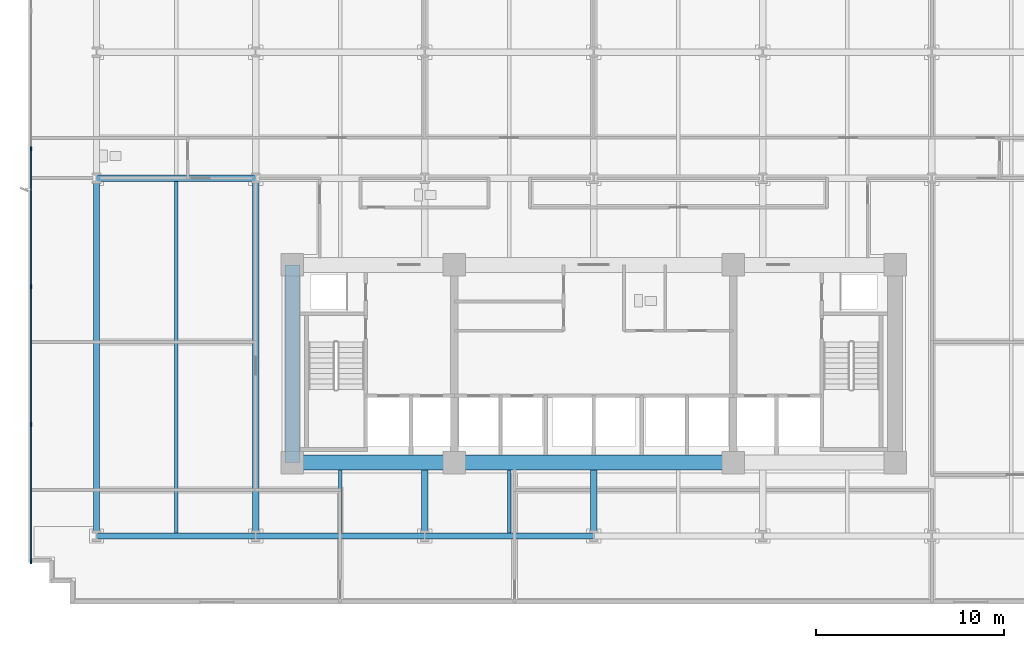
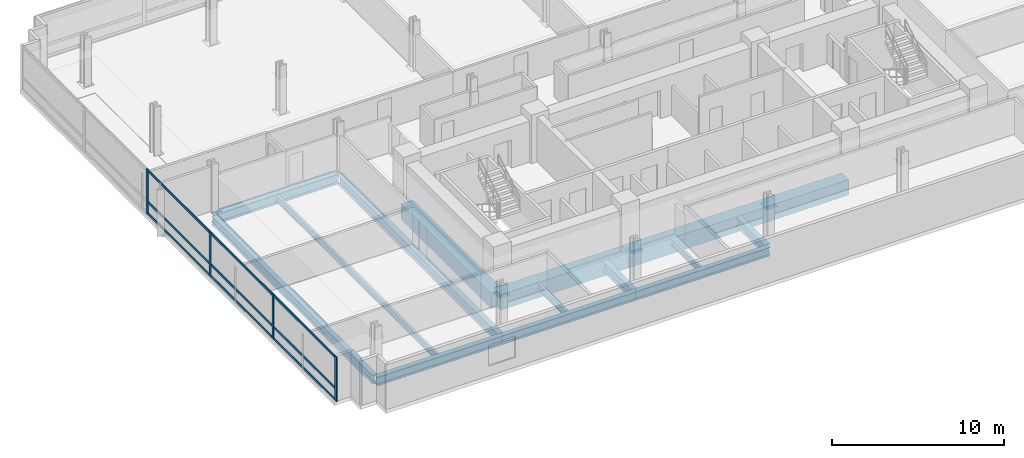
# One storey, part 2 of 14: 14 beams, 13 members, 1 element without a shape of its own.
"""IFC4 building model written with IfcOpenShell, lengths in metres."""

from ifc_helpers import new_model, si_unit, direction, frame, origin, origin_2d, place, context, subcontext, project, spatial, rectangle, i_section, extrude, material, material_profile, profile_set, type_object, element, aggregate, save


model = new_model("IFC4")

# Units and contexts
model_context = context("Model", 3, precision=1e-05, world=origin(), true_north=direction((0.0, 1.0)))
body_context = subcontext(model_context, "Body", "Model", "MODEL_VIEW")
ifc_project = project(units=[si_unit("LENGTHUNIT", "METRE"), si_unit("AREAUNIT", "SQUARE_METRE"), si_unit("VOLUMEUNIT", "CUBIC_METRE"), si_unit("PLANEANGLEUNIT", "RADIAN"), si_unit("MASSUNIT", "GRAM", prefix="KILO")], contexts=[model_context])

# Site, building, storey
site_placement = place(None, origin())
site = spatial("IfcSite", under=ifc_project, at=site_placement, CompositionType="ELEMENT")
building_placement = place(site_placement, origin())
building = spatial("IfcBuilding", under=site, at=building_placement, Name="Solmavex Isthmus Hotel", CompositionType="ELEMENT")
storey_placement = place(building_placement, frame((0.0, 0.0, 50.550048828125)))
storey = spatial("IfcBuildingStorey", under=building, at=storey_placement, Name="L13", CompositionType="ELEMENT", Elevation=50.550048828125)

# Beams
ifc_material_1 = material(Name="Steel ASTM A992 Grade 50", Category="steel")
ifc_material_profile_1 = material_profile(ifc_material_1, i_section(OverallWidth=0.354736328125, OverallDepth=0.695556640625, WebThickness=0.015380859375, FlangeThickness=0.02490234375, FilletRadius=0.017822265625, at=origin_2d()), Name="W27X146")
ifc_profile_set_1 = profile_set([ifc_material_profile_1], Name="Steel ASTM A992 Grade 50")
beam_type_1 = type_object("IfcBeamType", Name="BM-BG-W27X146", PredefinedType="BEAM", material=ifc_profile_set_1)
beam_1_placement = place(storey_placement, frame((-26.39990234375, 2.10009765625, -0.60791015625), z_axis=(1.0, 0.0, 0.0), x_axis=(0.0, 1.0, 0.0)))
element("IfcBeam", 1, at=beam_1_placement, inside=storey, type_object=beam_type_1, Name="Floor Girder L13-UG07", PredefinedType="BEAM", context=body_context, shape_type="SweptSolid", body=[
    extrude(i_section(OverallWidth=0.354736328125, OverallDepth=0.695556640625, WebThickness=0.015380859375, FlangeThickness=0.02490234375, FilletRadius=0.017822265625, at=origin_2d()), origin(), (0.0, 0.0, 1.0), 8.447998046875),
])
beam_2_placement = place(storey_placement, frame((-17.951904296875, -16.73681640625, -0.60791015625), z_axis=(0.0, 1.0, 0.0), x_axis=(-1.0, 0.0, 0.0)))
element("IfcBeam", 2, at=beam_2_placement, inside=storey, type_object=beam_type_1, Name="Floor Beam L13-VG28", PredefinedType="BEAM", context=body_context, shape_type="SweptSolid", body=[
    extrude(i_section(OverallWidth=0.354736328125, OverallDepth=0.695556640625, WebThickness=0.015380859375, FlangeThickness=0.02490234375, FilletRadius=0.017822265625, at=origin_2d()), origin(), (0.0, 0.0, 1.0), 18.659423828125),
])
for number, where, z_axis, x_axis, name in (
    (3, (-8.97607421875, -16.73681640625, -0.60791015625), (0.0, 1.0, 0.0), (-1.0, 0.0, 0.0), "Floor Beam L13-VG31"),
    (4, (0.0, -16.73681640625, -0.60791015625), (0.0, 1.0, 0.0), (-1.0, 0.0, 0.0), "Floor Beam L13-VG35"),
):
    element("IfcBeam", number, at=place(storey_placement, frame(where, z_axis=z_axis, x_axis=x_axis)), inside=storey, type_object=beam_type_1, Name=name, PredefinedType="BEAM", context=body_context, shape_type="SweptSolid", body=[
        extrude(i_section(OverallWidth=0.354736328125, OverallDepth=0.695556640625, WebThickness=0.015380859375, FlangeThickness=0.02490234375, FilletRadius=0.017822265625, at=origin_2d()), origin(), (0.0, 0.0, 1.0), 3.3369140625),
    ])
ifc_material_profile_2 = material_profile(ifc_material_1, i_section(OverallWidth=0.1904296875, OverallDepth=0.456787109375, WebThickness=0.009033203125, FlangeThickness=0.014404296875, FilletRadius=0.0126953125, at=origin_2d()), Name="W18X50")
ifc_profile_set_2 = profile_set([ifc_material_profile_2], Name="Steel ASTM A992 Grade 50")
beam_type_2 = type_object("IfcBeamType", Name="BM-BJ-W18X50", PredefinedType="JOIST", material=ifc_profile_set_2)
beam_3_placement = place(storey_placement, frame((-22.176025390625, -16.73681640625, -0.488525390625), z_axis=(0.0, 1.0, 0.0), x_axis=(-1.0, 0.0, 0.0)))
element("IfcBeam", 5, at=beam_3_placement, inside=storey, type_object=beam_type_2, Name="Secondary Floor Joist L13-J01", PredefinedType="JOIST", context=body_context, shape_type="SweptSolid", body=[
    extrude(i_section(OverallWidth=0.1904296875, OverallDepth=0.456787109375, WebThickness=0.009033203125, FlangeThickness=0.014404296875, FilletRadius=0.0126953125, at=origin_2d()), origin(), (0.0, 0.0, 1.0), 18.659423828125),
])
for number, where, z_axis, x_axis, name in (
    (6, (-13.464111328125, -16.73681640625, -0.488525390625), (0.0, 1.0, 0.0), (-1.0, 0.0, 0.0), "Secondary Floor Joist L13-J04"),
    (7, (-4.488037109375, -16.73681640625, -0.488525390625), (0.0, 1.0, 0.0), (-1.0, 0.0, 0.0), "Secondary Floor Joist L13-J08"),
):
    element("IfcBeam", number, at=place(storey_placement, frame(where, z_axis=z_axis, x_axis=x_axis)), inside=storey, type_object=beam_type_2, Name=name, PredefinedType="JOIST", context=body_context, shape_type="SweptSolid", body=[
        extrude(i_section(OverallWidth=0.1904296875, OverallDepth=0.456787109375, WebThickness=0.009033203125, FlangeThickness=0.014404296875, FilletRadius=0.0126953125, at=origin_2d()), origin(), (0.0, 0.0, 1.0), 3.3369140625),
    ])
ifc_material_2 = material(Name="Concrete C70/85", Category="concrete")
ifc_material_profile_3 = material_profile(ifc_material_2, rectangle(XDim=0.800048828125, YDim=1.10009765625, at=origin_2d()), Name="RC800X1100")
ifc_profile_set_3 = profile_set([ifc_material_profile_3], Name="Concrete C70/85")
beam_type_3 = type_object("IfcBeamType", Name="BM-CB-800X1100", PredefinedType="BEAM", material=ifc_profile_set_3)
beam_4_placement = place(storey_placement, frame((-16.0, -13.0, -0.81005859375), z_axis=(1.0, 0.0, 0.0), x_axis=(0.0, 1.0, 0.0)))
element("IfcBeam", 8, at=beam_4_placement, inside=storey, type_object=beam_type_3, Name="Core Coupling Beam L13-CB1", PredefinedType="BEAM", context=body_context, shape_type="SweptSolid", body=[
    extrude(rectangle(XDim=0.800048828125, YDim=1.10009765625, at=origin_2d()), origin(), (0.0, 0.0, 1.0), 8.60009765625),
])
beam_5_placement = place(storey_placement, frame((-7.39990234375, -13.0, -0.81005859375), z_axis=(1.0, 0.0, 0.0), x_axis=(0.0, 1.0, 0.0)))
element("IfcBeam", 9, at=beam_5_placement, inside=storey, type_object=beam_type_3, Name="Core Coupling Beam L13-CB2", PredefinedType="BEAM", context=body_context, shape_type="SweptSolid", body=[
    extrude(rectangle(XDim=0.800048828125, YDim=1.10009765625, at=origin_2d()), origin(), (0.0, 0.0, 1.0), 14.7998046875),
])
beam_6_placement = place(storey_placement, frame((-16.0, -13.0, -0.81005859375), z_axis=(0.0, 1.0, 0.0), x_axis=(-1.0, 0.0, 0.0)))
element("IfcBeam", 10, at=beam_6_placement, inside=storey, type_object=beam_type_3, Name="Core Coupling Beam L13-CB7", PredefinedType="BEAM", context=body_context, shape_type="SweptSolid", body=[
    extrude(rectangle(XDim=0.800048828125, YDim=1.10009765625, at=origin_2d()), origin(), (0.0, 0.0, 1.0), 10.5),
])
ifc_material_profile_4 = material_profile(ifc_material_1, i_section(OverallWidth=0.326416015625, OverallDepth=0.621826171875, WebThickness=0.015380859375, FlangeThickness=0.0244140625, FilletRadius=0.01513671875, at=origin_2d()), Name="W24X131")
ifc_profile_set_4 = profile_set([ifc_material_profile_4], Name="Steel ASTM A992 Grade 50")
beam_type_4 = type_object("IfcBeamType", Name="BM-SP-W24X131", PredefinedType="SPANDREL", material=ifc_profile_set_4)
beam_7_placement = place(storey_placement, frame((-26.39990234375, -16.89990234375, -0.571044921875), z_axis=(1.0, 0.0, 0.0), x_axis=(0.0, 1.0, 0.0)))
element("IfcBeam", 11, at=beam_7_placement, inside=storey, type_object=beam_type_4, Name="Floor Girder L13-UG01", PredefinedType="SPANDREL", context=body_context, shape_type="SweptSolid", body=[
    extrude(i_section(OverallWidth=0.326416015625, OverallDepth=0.621826171875, WebThickness=0.015380859375, FlangeThickness=0.0244140625, FilletRadius=0.01513671875, at=origin_2d()), origin(), (0.0, 0.0, 1.0), 8.447998046875),
])
beam_8_placement = place(storey_placement, frame((-17.951904296875, -16.89990234375, -0.571044921875), z_axis=(1.0, 0.0, 0.0), x_axis=(0.0, 1.0, 0.0)))
element("IfcBeam", 12, at=beam_8_placement, inside=storey, type_object=beam_type_4, Name="Floor Girder L13-UG02", PredefinedType="SPANDREL", context=body_context, shape_type="SweptSolid", body=[
    extrude(i_section(OverallWidth=0.326416015625, OverallDepth=0.621826171875, WebThickness=0.015380859375, FlangeThickness=0.0244140625, FilletRadius=0.01513671875, at=origin_2d()), origin(), (0.0, 0.0, 1.0), 8.975830078125),
])
beam_9_placement = place(storey_placement, frame((-8.97607421875, -16.89990234375, -0.571044921875), z_axis=(1.0, 0.0, 0.0), x_axis=(0.0, 1.0, 0.0)))
element("IfcBeam", 13, at=beam_9_placement, inside=storey, type_object=beam_type_4, Name="Floor Girder L13-UG03", PredefinedType="SPANDREL", context=body_context, shape_type="SweptSolid", body=[
    extrude(i_section(OverallWidth=0.326416015625, OverallDepth=0.621826171875, WebThickness=0.015380859375, FlangeThickness=0.0244140625, FilletRadius=0.01513671875, at=origin_2d()), origin(), (0.0, 0.0, 1.0), 8.97607421875),
])
beam_10_placement = place(storey_placement, frame((-26.39990234375, -16.73681640625, -0.571044921875), z_axis=(0.0, 1.0, 0.0), x_axis=(-1.0, 0.0, 0.0)))
element("IfcBeam", 14, at=beam_10_placement, inside=storey, type_object=beam_type_4, Name="Floor Beam L13-VG25", PredefinedType="SPANDREL", context=body_context, shape_type="SweptSolid", body=[
    extrude(i_section(OverallWidth=0.326416015625, OverallDepth=0.621826171875, WebThickness=0.015380859375, FlangeThickness=0.0244140625, FilletRadius=0.01513671875, at=origin_2d()), origin(), (0.0, 0.0, 1.0), 18.659423828125),
])

# Curtain wall, members
ifc_material_3 = material(Name="Aluminium alloy 6063-T6", Category="aluminium")
curtain_wall_type = type_object("IfcCurtainWallType", Name="CW-SYS-02", PredefinedType="NOTDEFINED", material=ifc_material_3)
curtain_wall_placement = place(storey_placement, origin())
curtain_wall = element("IfcCurtainWall", 15, at=curtain_wall_placement, inside=storey, type_object=curtain_wall_type, Name="Stick Curtain Wall CWL-L13-W1", PredefinedType="NOTDEFINED")
ifc_material_profile_5 = material_profile(ifc_material_3, rectangle(XDim=0.074951171875, YDim=0.219970703125, at=origin_2d()), Name="CWM-75X220")
ifc_profile_set_5 = profile_set([ifc_material_profile_5], Name="Aluminium alloy 6063-T6")
member_type_1 = type_object("IfcMemberType", Name="CW-SYS-02-MUL", PredefinedType="MULLION", material=ifc_profile_set_5)
member_1_placement = place(storey_placement, frame((-29.8798828125, -18.262451171875, 0.0), z_axis=(0.0, 0.0, 1.0), x_axis=(-1.0, 0.0, 0.0)))
member_1 = element("IfcMember", 16, at=member_1_placement, type_object=member_type_1, Name="CW-02 mullion 1", PredefinedType="MULLION", context=body_context, shape_type="SweptSolid", body=[
    extrude(rectangle(XDim=0.074951171875, YDim=0.219970703125, at=origin_2d()), origin(), (0.0, 0.0, 1.0), 3.18994140625),
])
member_2_placement = place(storey_placement, frame((-29.8798828125, -10.97998046875, 0.0), z_axis=(0.0, 0.0, 1.0), x_axis=(-1.0, 0.0, 0.0)))
member_2 = element("IfcMember", 17, at=member_2_placement, type_object=member_type_1, Name="CW-02 mullion 2", PredefinedType="MULLION", context=body_context, shape_type="SweptSolid", body=[
    extrude(rectangle(XDim=0.074951171875, YDim=0.219970703125, at=origin_2d()), origin(), (0.0, 0.0, 1.0), 3.18994140625),
])
member_3_placement = place(storey_placement, frame((-29.8798828125, -3.659912109375, 0.0), z_axis=(0.0, 0.0, 1.0), x_axis=(-1.0, 0.0, 0.0)))
member_3 = element("IfcMember", 18, at=member_3_placement, type_object=member_type_1, Name="CW-02 mullion 3", PredefinedType="MULLION", context=body_context, shape_type="SweptSolid", body=[
    extrude(rectangle(XDim=0.074951171875, YDim=0.219970703125, at=origin_2d()), origin(), (0.0, 0.0, 1.0), 3.18994140625),
])
member_4_placement = place(storey_placement, frame((-29.8798828125, 3.659912109375, 0.0), z_axis=(0.0, 0.0, 1.0), x_axis=(-1.0, 0.0, 0.0)))
member_4 = element("IfcMember", 19, at=member_4_placement, type_object=member_type_1, Name="CW-02 mullion 4", PredefinedType="MULLION", context=body_context, shape_type="SweptSolid", body=[
    extrude(rectangle(XDim=0.074951171875, YDim=0.219970703125, at=origin_2d()), origin(), (0.0, 0.0, 1.0), 3.18994140625),
])
ifc_material_profile_6 = material_profile(ifc_material_3, rectangle(XDim=0.074951171875, YDim=0.159912109375, at=origin_2d()), Name="CWT-75X160")
ifc_profile_set_6 = profile_set([ifc_material_profile_6], Name="Aluminium alloy 6063-T6")
member_type_2 = type_object("IfcMemberType", Name="CW-SYS-02-TRN", PredefinedType="USERDEFINED", material=ifc_profile_set_6)
member_5_placement = place(storey_placement, frame((-29.8798828125, -18.22509765625, 0.079833984375), z_axis=(0.0, 1.0, 0.0), x_axis=(-1.0, 0.0, 0.0)))
member_5 = element("IfcMember", 20, at=member_5_placement, type_object=member_type_2, Name="CW-02 transom 1.1", ObjectType="TRANSOM", PredefinedType="USERDEFINED", context=body_context, shape_type="SweptSolid", body=[
    extrude(rectangle(XDim=0.074951171875, YDim=0.159912109375, at=origin_2d()), origin(), (0.0, 0.0, 1.0), 7.20751953125),
])
member_6_placement = place(storey_placement, frame((-29.8798828125, -18.22509765625, 0.89990234375), z_axis=(0.0, 1.0, 0.0), x_axis=(-1.0, 0.0, 0.0)))
member_6 = element("IfcMember", 21, at=member_6_placement, type_object=member_type_2, Name="CW-02 transom 1.2", ObjectType="TRANSOM", PredefinedType="USERDEFINED", context=body_context, shape_type="SweptSolid", body=[
    extrude(rectangle(XDim=0.074951171875, YDim=0.159912109375, at=origin_2d()), origin(), (0.0, 0.0, 1.0), 7.20751953125),
])
member_7_placement = place(storey_placement, frame((-29.8798828125, -18.22509765625, 3.10986328125), z_axis=(0.0, 1.0, 0.0), x_axis=(-1.0, 0.0, 0.0)))
member_7 = element("IfcMember", 22, at=member_7_placement, type_object=member_type_2, Name="CW-02 transom 1.3", ObjectType="TRANSOM", PredefinedType="USERDEFINED", context=body_context, shape_type="SweptSolid", body=[
    extrude(rectangle(XDim=0.074951171875, YDim=0.159912109375, at=origin_2d()), origin(), (0.0, 0.0, 1.0), 7.20751953125),
])
member_8_placement = place(storey_placement, frame((-29.8798828125, -10.9423828125, 0.079833984375), z_axis=(0.0, 1.0, 0.0), x_axis=(-1.0, 0.0, 0.0)))
member_8 = element("IfcMember", 23, at=member_8_placement, type_object=member_type_2, Name="CW-02 transom 2.1", ObjectType="TRANSOM", PredefinedType="USERDEFINED", context=body_context, shape_type="SweptSolid", body=[
    extrude(rectangle(XDim=0.074951171875, YDim=0.159912109375, at=origin_2d()), origin(), (0.0, 0.0, 1.0), 7.244873046875),
])
member_9_placement = place(storey_placement, frame((-29.8798828125, -10.9423828125, 0.89990234375), z_axis=(0.0, 1.0, 0.0), x_axis=(-1.0, 0.0, 0.0)))
member_9 = element("IfcMember", 24, at=member_9_placement, type_object=member_type_2, Name="CW-02 transom 2.2", ObjectType="TRANSOM", PredefinedType="USERDEFINED", context=body_context, shape_type="SweptSolid", body=[
    extrude(rectangle(XDim=0.074951171875, YDim=0.159912109375, at=origin_2d()), origin(), (0.0, 0.0, 1.0), 7.244873046875),
])
member_10_placement = place(storey_placement, frame((-29.8798828125, -10.9423828125, 3.10986328125), z_axis=(0.0, 1.0, 0.0), x_axis=(-1.0, 0.0, 0.0)))
member_10 = element("IfcMember", 25, at=member_10_placement, type_object=member_type_2, Name="CW-02 transom 2.3", ObjectType="TRANSOM", PredefinedType="USERDEFINED", context=body_context, shape_type="SweptSolid", body=[
    extrude(rectangle(XDim=0.074951171875, YDim=0.159912109375, at=origin_2d()), origin(), (0.0, 0.0, 1.0), 7.244873046875),
])
member_11_placement = place(storey_placement, frame((-29.8798828125, -3.62255859375, 0.079833984375), z_axis=(0.0, 1.0, 0.0), x_axis=(-1.0, 0.0, 0.0)))
member_11 = element("IfcMember", 26, at=member_11_placement, type_object=member_type_2, Name="CW-02 transom 3.1", ObjectType="TRANSOM", PredefinedType="USERDEFINED", context=body_context, shape_type="SweptSolid", body=[
    extrude(rectangle(XDim=0.074951171875, YDim=0.159912109375, at=origin_2d()), origin(), (0.0, 0.0, 1.0), 7.2451171875),
])
member_12_placement = place(storey_placement, frame((-29.8798828125, -3.62255859375, 0.89990234375), z_axis=(0.0, 1.0, 0.0), x_axis=(-1.0, 0.0, 0.0)))
member_12 = element("IfcMember", 27, at=member_12_placement, type_object=member_type_2, Name="CW-02 transom 3.2", ObjectType="TRANSOM", PredefinedType="USERDEFINED", context=body_context, shape_type="SweptSolid", body=[
    extrude(rectangle(XDim=0.074951171875, YDim=0.159912109375, at=origin_2d()), origin(), (0.0, 0.0, 1.0), 7.2451171875),
])
member_13_placement = place(storey_placement, frame((-29.8798828125, -3.62255859375, 3.10986328125), z_axis=(0.0, 1.0, 0.0), x_axis=(-1.0, 0.0, 0.0)))
member_13 = element("IfcMember", 28, at=member_13_placement, type_object=member_type_2, Name="CW-02 transom 3.3", ObjectType="TRANSOM", PredefinedType="USERDEFINED", context=body_context, shape_type="SweptSolid", body=[
    extrude(rectangle(XDim=0.074951171875, YDim=0.159912109375, at=origin_2d()), origin(), (0.0, 0.0, 1.0), 7.2451171875),
])
aggregate(curtain_wall, [member_1, member_2, member_3, member_4, member_5, member_6, member_7, member_8, member_9, member_10, member_11, member_12, member_13])

save(model, "model.ifc")
